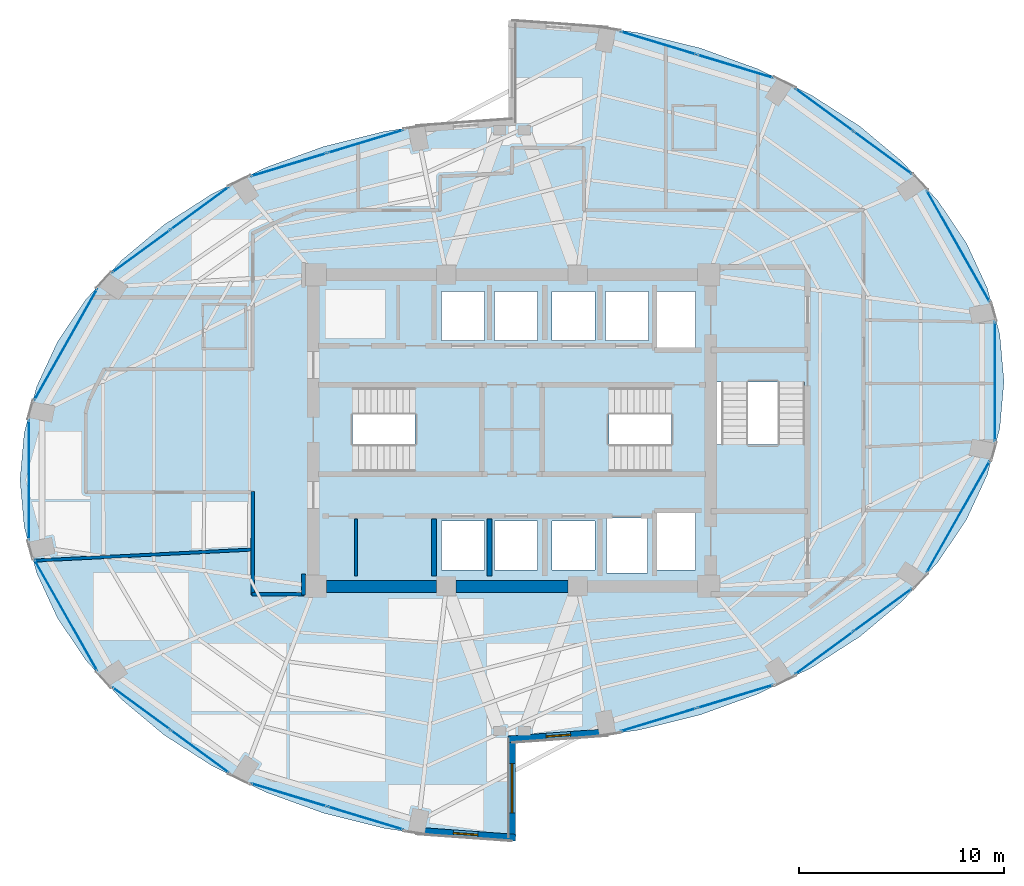
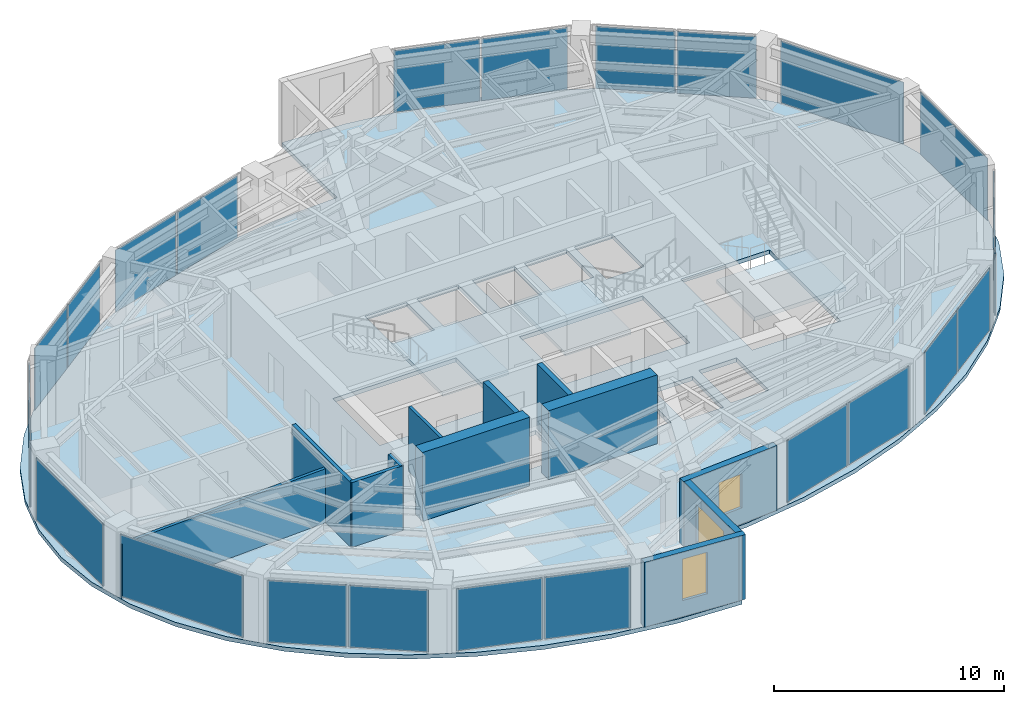
# One storey, part 15 of 20: 22 plates, 12 walls, 4 slabs, 3 windows, 3 openings, 17 elements without a shape of their own.
"""IFC4 building model written with IfcOpenShell, lengths in metres."""

from ifc_helpers import new_model, si_unit, direction, frame, frame_2d, origin, origin_2d, place, context, subcontext, project, spatial, polyline, rectangle, outline, extrude, material, layer, layer_set, type_object, element, fill, aggregate, save


model = new_model("IFC4")

# Units and contexts
model_context = context("Model", 3, precision=1e-05, world=origin(), true_north=direction((0.0, 1.0)))
body_context = subcontext(model_context, "Body", "Model", "MODEL_VIEW")
ifc_project = project(units=[si_unit("LENGTHUNIT", "METRE"), si_unit("AREAUNIT", "SQUARE_METRE"), si_unit("VOLUMEUNIT", "CUBIC_METRE"), si_unit("PLANEANGLEUNIT", "RADIAN"), si_unit("MASSUNIT", "GRAM", prefix="KILO")], contexts=[model_context])

# Site, building, storey
site_placement = place(None, origin())
site = spatial("IfcSite", under=ifc_project, at=site_placement, CompositionType="ELEMENT")
building_placement = place(site_placement, origin())
building = spatial("IfcBuilding", under=site, at=building_placement, Name="Lazwardi Medical Tower", CompositionType="ELEMENT")
storey_placement = place(building_placement, frame((0.0, 0.0, 141.93603515625)))
storey = spatial("IfcBuildingStorey", under=building, at=storey_placement, Name="L36", CompositionType="ELEMENT", Elevation=141.93603515625)

# Curtain wall, plates
ifc_material_1 = material(Name="Anodised bronze aluminium and solar control glazing", Category="aluminium")
ifc_layer_1 = layer(ifc_material_1, 0.195068359375)
ifc_layer_set_1 = layer_set([ifc_layer_1], Name="Anodised bronze aluminium and solar control glazing")
curtain_wall_type = type_object("IfcCurtainWallType", Name="CW-SYS-03", PredefinedType="NOTDEFINED", material=ifc_layer_set_1)
curtain_wall_1_placement = place(storey_placement, origin())
curtain_wall_1 = element("IfcCurtainWall", 1, at=curtain_wall_1_placement, inside=storey, type_object=curtain_wall_type, Name="L36 Unitised bronze curtain wall CW-03", PredefinedType="NOTDEFINED")
ifc_material_2 = material(Name="Low-e bronze solar control double glazing", Category="glass")
ifc_layer_2 = layer(ifc_material_2, 0.035888671875)
ifc_layer_set_2 = layer_set([ifc_layer_2], Name="Low-e bronze solar control double glazing")
plate_type = type_object("IfcPlateType", Name="PLT-GLZ-01", PredefinedType="CURTAIN_PANEL", material=ifc_layer_set_2)
plate_1_placement = place(storey_placement, frame((43.1435546875, 13.8935546875, 0.07470703125), z_axis=(0.0, 0.0, 1.0), x_axis=(0.956941516292, 0.290280785441, 0.0)))
plate_1 = element("IfcPlate", 2, at=plate_1_placement, type_object=plate_type, Name="CW-03 panel 1.1", PredefinedType="CURTAIN_PANEL", context=body_context, shape_type="SweptSolid", body=[
    extrude(rectangle(XDim=3.83642578125, YDim=0.035888671875, at=origin_2d()), origin(), (0.0, 0.0, 1.0), 3.278076171875),
])
plate_2_placement = place(storey_placement, frame((46.88671875, 15.029052734375, 0.07470703125), z_axis=(0.0, 0.0, 1.0), x_axis=(0.956941516292, 0.290280785441, 0.0)))
plate_2 = element("IfcPlate", 3, at=plate_2_placement, type_object=plate_type, Name="CW-03 panel 2.1", PredefinedType="CURTAIN_PANEL", context=body_context, shape_type="SweptSolid", body=[
    extrude(rectangle(XDim=3.83642578125, YDim=0.035888671875, at=origin_2d()), origin(), (0.0, 0.0, 1.0), 3.278076171875),
])
aggregate(curtain_wall_1, [plate_1, plate_2])

curtain_wall_2_placement = place(storey_placement, origin())
curtain_wall_2 = element("IfcCurtainWall", 4, at=curtain_wall_2_placement, inside=storey, type_object=curtain_wall_type, Name="L36 Unitised bronze curtain wall CW-03", PredefinedType="NOTDEFINED")
plate_3_placement = place(storey_placement, frame((51.2265625, 17.153076171875, 0.07470703125), z_axis=(0.0, 0.0, 1.0), x_axis=(0.806793249082, 0.590833862635, 0.0)))
plate_3 = element("IfcPlate", 5, at=plate_3_placement, type_object=plate_type, Name="CW-03 panel 1.1", PredefinedType="CURTAIN_PANEL", context=body_context, shape_type="SweptSolid", body=[
    extrude(rectangle(XDim=3.472412109375, YDim=0.035888671875, at=origin_2d()), origin(), (0.0, 0.0, 1.0), 3.278076171875),
])
plate_4_placement = place(storey_placement, frame((54.088623046875, 19.2490234375, 0.07470703125), z_axis=(0.0, 0.0, 1.0), x_axis=(0.806793249082, 0.590833862635, 0.0)))
plate_4 = element("IfcPlate", 6, at=plate_4_placement, type_object=plate_type, Name="CW-03 panel 2.1", PredefinedType="CURTAIN_PANEL", context=body_context, shape_type="SweptSolid", body=[
    extrude(rectangle(XDim=3.472412109375, YDim=0.035888671875, at=origin_2d()), origin(), (0.0, 0.0, 1.0), 3.278076171875),
])
aggregate(curtain_wall_2, [plate_3, plate_4])

# Curtain wall, plate
curtain_wall_3_placement = place(storey_placement, origin())
curtain_wall_3 = element("IfcCurtainWall", 7, at=curtain_wall_3_placement, inside=storey, type_object=curtain_wall_type, Name="L36 Unitised bronze curtain wall CW-03", PredefinedType="NOTDEFINED")
plate_5_placement = place(storey_placement, frame((57.764404296875, 23.798095703125, 0.07470703125), z_axis=(0.0, 0.0, 1.0), x_axis=(0.492311672683, 0.870418989303, 0.0)))
plate_5 = element("IfcPlate", 8, at=plate_5_placement, type_object=plate_type, Name="CW-03 panel 1.1", PredefinedType="CURTAIN_PANEL", context=body_context, shape_type="SweptSolid", body=[
    extrude(rectangle(XDim=6.208740234375, YDim=0.035888671875, at=origin_2d()), origin(), (0.0, 0.0, 1.0), 3.278076171875),
])
aggregate(curtain_wall_3, [plate_5])

curtain_wall_4_placement = place(storey_placement, origin())
curtain_wall_4 = element("IfcCurtainWall", 9, at=curtain_wall_4_placement, inside=storey, type_object=curtain_wall_type, Name="L36 Unitised bronze curtain wall CW-03", PredefinedType="NOTDEFINED")
plate_6_placement = place(storey_placement, frame((59.5576171875, 30.39990234375, 0.07470703125), z_axis=(0.0, 0.0, 1.0), x_axis=(0.0, 1.0, 0.0)))
plate_6 = element("IfcPlate", 10, at=plate_6_placement, type_object=plate_type, Name="CW-03 panel 1.1", PredefinedType="CURTAIN_PANEL", context=body_context, shape_type="SweptSolid", body=[
    extrude(rectangle(XDim=5.8408203125, YDim=0.035888671875, at=origin_2d()), origin(), (0.0, 0.0, 1.0), 3.278076171875),
])
aggregate(curtain_wall_4, [plate_6])

curtain_wall_5_placement = place(storey_placement, origin())
curtain_wall_5 = element("IfcCurtainWall", 11, at=curtain_wall_5_placement, inside=storey, type_object=curtain_wall_type, Name="L36 Unitised bronze curtain wall CW-03", PredefinedType="NOTDEFINED")
plate_7_placement = place(storey_placement, frame((57.764404296875, 37.001953125, 0.07470703125), z_axis=(0.0, 0.0, 1.0), x_axis=(-0.492311672683, 0.870418989303, 0.0)))
plate_7 = element("IfcPlate", 12, at=plate_7_placement, type_object=plate_type, Name="CW-03 panel 1.1", PredefinedType="CURTAIN_PANEL", context=body_context, shape_type="SweptSolid", body=[
    extrude(rectangle(XDim=6.208740234375, YDim=0.035888671875, at=origin_2d()), origin(), (0.0, 0.0, 1.0), 3.278076171875),
])
aggregate(curtain_wall_5, [plate_7])

# Curtain wall, plates
curtain_wall_6_placement = place(storey_placement, origin())
curtain_wall_6 = element("IfcCurtainWall", 13, at=curtain_wall_6_placement, inside=storey, type_object=curtain_wall_type, Name="L36 Unitised bronze curtain wall CW-03", PredefinedType="NOTDEFINED")
plate_8_placement = place(storey_placement, frame((54.088623046875, 41.551025390625, 0.07470703125), z_axis=(0.0, 0.0, 1.0), x_axis=(-0.806793249082, 0.590833862635, 0.0)))
plate_8 = element("IfcPlate", 14, at=plate_8_placement, type_object=plate_type, Name="CW-03 panel 1.1", PredefinedType="CURTAIN_PANEL", context=body_context, shape_type="SweptSolid", body=[
    extrude(rectangle(XDim=3.472412109375, YDim=0.035888671875, at=origin_2d()), origin(), (0.0, 0.0, 1.0), 3.278076171875),
])
plate_9_placement = place(storey_placement, frame((51.2265625, 43.64697265625, 0.07470703125), z_axis=(0.0, 0.0, 1.0), x_axis=(-0.806793249082, 0.590833862635, 0.0)))
plate_9 = element("IfcPlate", 15, at=plate_9_placement, type_object=plate_type, Name="CW-03 panel 2.1", PredefinedType="CURTAIN_PANEL", context=body_context, shape_type="SweptSolid", body=[
    extrude(rectangle(XDim=3.472412109375, YDim=0.035888671875, at=origin_2d()), origin(), (0.0, 0.0, 1.0), 3.278076171875),
])
aggregate(curtain_wall_6, [plate_8, plate_9])

curtain_wall_7_placement = place(storey_placement, origin())
curtain_wall_7 = element("IfcCurtainWall", 16, at=curtain_wall_7_placement, inside=storey, type_object=curtain_wall_type, Name="L36 Unitised bronze curtain wall CW-03", PredefinedType="NOTDEFINED")
plate_10_placement = place(storey_placement, frame((46.88671875, 45.77099609375, 0.07470703125), z_axis=(0.0, 0.0, 1.0), x_axis=(-0.956941516292, 0.290280785441, 0.0)))
plate_10 = element("IfcPlate", 17, at=plate_10_placement, type_object=plate_type, Name="CW-03 panel 1.1", PredefinedType="CURTAIN_PANEL", context=body_context, shape_type="SweptSolid", body=[
    extrude(rectangle(XDim=3.83642578125, YDim=0.035888671875, at=origin_2d()), origin(), (0.0, 0.0, 1.0), 3.278076171875),
])
plate_11_placement = place(storey_placement, frame((43.1435546875, 46.906494140625, 0.07470703125), z_axis=(0.0, 0.0, 1.0), x_axis=(-0.956941516292, 0.290280785441, 0.0)))
plate_11 = element("IfcPlate", 18, at=plate_11_placement, type_object=plate_type, Name="CW-03 panel 2.1", PredefinedType="CURTAIN_PANEL", context=body_context, shape_type="SweptSolid", body=[
    extrude(rectangle(XDim=3.83642578125, YDim=0.035888671875, at=origin_2d()), origin(), (0.0, 0.0, 1.0), 3.278076171875),
])
aggregate(curtain_wall_7, [plate_10, plate_11])

curtain_wall_8_placement = place(storey_placement, origin())
curtain_wall_8 = element("IfcCurtainWall", 19, at=curtain_wall_8_placement, inside=storey, type_object=curtain_wall_type, Name="L36 Unitised bronze curtain wall CW-03", PredefinedType="NOTDEFINED")
plate_12_placement = place(storey_placement, frame((28.8564453125, 42.1064453125, 0.07470703125), z_axis=(0.0, 0.0, 1.0), x_axis=(-0.956941516292, -0.290280785441, 0.0)))
plate_12 = element("IfcPlate", 20, at=plate_12_placement, type_object=plate_type, Name="CW-03 panel 1.1", PredefinedType="CURTAIN_PANEL", context=body_context, shape_type="SweptSolid", body=[
    extrude(rectangle(XDim=3.83642578125, YDim=0.035888671875, at=origin_2d()), origin(), (0.0, 0.0, 1.0), 3.278076171875),
])
plate_13_placement = place(storey_placement, frame((25.11328125, 40.970947265625, 0.07470703125), z_axis=(0.0, 0.0, 1.0), x_axis=(-0.956941516292, -0.290280785441, 0.0)))
plate_13 = element("IfcPlate", 21, at=plate_13_placement, type_object=plate_type, Name="CW-03 panel 2.1", PredefinedType="CURTAIN_PANEL", context=body_context, shape_type="SweptSolid", body=[
    extrude(rectangle(XDim=3.83642578125, YDim=0.035888671875, at=origin_2d()), origin(), (0.0, 0.0, 1.0), 3.278076171875),
])
aggregate(curtain_wall_8, [plate_12, plate_13])

curtain_wall_9_placement = place(storey_placement, origin())
curtain_wall_9 = element("IfcCurtainWall", 22, at=curtain_wall_9_placement, inside=storey, type_object=curtain_wall_type, Name="L36 Unitised bronze curtain wall CW-03", PredefinedType="NOTDEFINED")
plate_14_placement = place(storey_placement, frame((20.7734375, 38.846923828125, 0.07470703125), z_axis=(0.0, 0.0, 1.0), x_axis=(-0.806793249082, -0.590833862635, 0.0)))
plate_14 = element("IfcPlate", 23, at=plate_14_placement, type_object=plate_type, Name="CW-03 panel 1.1", PredefinedType="CURTAIN_PANEL", context=body_context, shape_type="SweptSolid", body=[
    extrude(rectangle(XDim=3.472412109375, YDim=0.035888671875, at=origin_2d()), origin(), (0.0, 0.0, 1.0), 3.278076171875),
])
plate_15_placement = place(storey_placement, frame((17.911376953125, 36.7509765625, 0.07470703125), z_axis=(0.0, 0.0, 1.0), x_axis=(-0.806793249082, -0.590833862635, 0.0)))
plate_15 = element("IfcPlate", 24, at=plate_15_placement, type_object=plate_type, Name="CW-03 panel 2.1", PredefinedType="CURTAIN_PANEL", context=body_context, shape_type="SweptSolid", body=[
    extrude(rectangle(XDim=3.472412109375, YDim=0.035888671875, at=origin_2d()), origin(), (0.0, 0.0, 1.0), 3.278076171875),
])
aggregate(curtain_wall_9, [plate_14, plate_15])

# Curtain wall, plate
curtain_wall_10_placement = place(storey_placement, origin())
curtain_wall_10 = element("IfcCurtainWall", 25, at=curtain_wall_10_placement, inside=storey, type_object=curtain_wall_type, Name="L36 Unitised bronze curtain wall CW-03", PredefinedType="NOTDEFINED")
plate_16_placement = place(storey_placement, frame((14.235595703125, 32.201904296875, 0.07470703125), z_axis=(0.0, 0.0, 1.0), x_axis=(-0.492311672683, -0.870418989303, 0.0)))
plate_16 = element("IfcPlate", 26, at=plate_16_placement, type_object=plate_type, Name="CW-03 panel 1.1", PredefinedType="CURTAIN_PANEL", context=body_context, shape_type="SweptSolid", body=[
    extrude(rectangle(XDim=6.208740234375, YDim=0.035888671875, at=origin_2d()), origin(), (0.0, 0.0, 1.0), 3.278076171875),
])
aggregate(curtain_wall_10, [plate_16])

curtain_wall_11_placement = place(storey_placement, origin())
curtain_wall_11 = element("IfcCurtainWall", 27, at=curtain_wall_11_placement, inside=storey, type_object=curtain_wall_type, Name="L36 Unitised bronze curtain wall CW-03", PredefinedType="NOTDEFINED")
plate_17_placement = place(storey_placement, frame((12.4423828125, 25.60009765625, 0.07470703125), z_axis=(0.0, 0.0, 1.0), x_axis=(0.0, -1.0, 0.0)))
plate_17 = element("IfcPlate", 28, at=plate_17_placement, type_object=plate_type, Name="CW-03 panel 1.1", PredefinedType="CURTAIN_PANEL", context=body_context, shape_type="SweptSolid", body=[
    extrude(rectangle(XDim=5.8408203125, YDim=0.035888671875, at=origin_2d()), origin(), (0.0, 0.0, 1.0), 3.278076171875),
])
aggregate(curtain_wall_11, [plate_17])

curtain_wall_12_placement = place(storey_placement, origin())
curtain_wall_12 = element("IfcCurtainWall", 29, at=curtain_wall_12_placement, inside=storey, type_object=curtain_wall_type, Name="L36 Unitised bronze curtain wall CW-03", PredefinedType="NOTDEFINED")
plate_18_placement = place(storey_placement, frame((14.235595703125, 18.998046875, 0.07470703125), z_axis=(0.0, 0.0, 1.0), x_axis=(0.492311672683, -0.870418989303, 0.0)))
plate_18 = element("IfcPlate", 30, at=plate_18_placement, type_object=plate_type, Name="CW-03 panel 1.1", PredefinedType="CURTAIN_PANEL", context=body_context, shape_type="SweptSolid", body=[
    extrude(rectangle(XDim=6.208740234375, YDim=0.035888671875, at=origin_2d()), origin(), (0.0, 0.0, 1.0), 3.278076171875),
])
aggregate(curtain_wall_12, [plate_18])

# Curtain wall, plates
curtain_wall_13_placement = place(storey_placement, origin())
curtain_wall_13 = element("IfcCurtainWall", 31, at=curtain_wall_13_placement, inside=storey, type_object=curtain_wall_type, Name="L36 Unitised bronze curtain wall CW-03", PredefinedType="NOTDEFINED")
plate_19_placement = place(storey_placement, frame((17.911376953125, 14.448974609375, 0.07470703125), z_axis=(0.0, 0.0, 1.0), x_axis=(0.806793249082, -0.590833862635, 0.0)))
plate_19 = element("IfcPlate", 32, at=plate_19_placement, type_object=plate_type, Name="CW-03 panel 1.1", PredefinedType="CURTAIN_PANEL", context=body_context, shape_type="SweptSolid", body=[
    extrude(rectangle(XDim=3.472412109375, YDim=0.035888671875, at=origin_2d()), origin(), (0.0, 0.0, 1.0), 3.278076171875),
])
plate_20_placement = place(storey_placement, frame((20.7734375, 12.35302734375, 0.07470703125), z_axis=(0.0, 0.0, 1.0), x_axis=(0.806793249082, -0.590833862635, 0.0)))
plate_20 = element("IfcPlate", 33, at=plate_20_placement, type_object=plate_type, Name="CW-03 panel 2.1", PredefinedType="CURTAIN_PANEL", context=body_context, shape_type="SweptSolid", body=[
    extrude(rectangle(XDim=3.472412109375, YDim=0.035888671875, at=origin_2d()), origin(), (0.0, 0.0, 1.0), 3.278076171875),
])
aggregate(curtain_wall_13, [plate_19, plate_20])

curtain_wall_14_placement = place(storey_placement, origin())
curtain_wall_14 = element("IfcCurtainWall", 34, at=curtain_wall_14_placement, inside=storey, type_object=curtain_wall_type, Name="L36 Unitised bronze curtain wall CW-03", PredefinedType="NOTDEFINED")
plate_21_placement = place(storey_placement, frame((25.11328125, 10.22900390625, 0.07470703125), z_axis=(0.0, 0.0, 1.0), x_axis=(0.956941516292, -0.290280785441, 0.0)))
plate_21 = element("IfcPlate", 35, at=plate_21_placement, type_object=plate_type, Name="CW-03 panel 1.1", PredefinedType="CURTAIN_PANEL", context=body_context, shape_type="SweptSolid", body=[
    extrude(rectangle(XDim=3.83642578125, YDim=0.035888671875, at=origin_2d()), origin(), (0.0, 0.0, 1.0), 3.278076171875),
])
plate_22_placement = place(storey_placement, frame((28.8564453125, 9.093505859375, 0.07470703125), z_axis=(0.0, 0.0, 1.0), x_axis=(0.956941516292, -0.290280785441, 0.0)))
plate_22 = element("IfcPlate", 36, at=plate_22_placement, type_object=plate_type, Name="CW-03 panel 2.1", PredefinedType="CURTAIN_PANEL", context=body_context, shape_type="SweptSolid", body=[
    extrude(rectangle(XDim=3.83642578125, YDim=0.035888671875, at=origin_2d()), origin(), (0.0, 0.0, 1.0), 3.278076171875),
])
aggregate(curtain_wall_14, [plate_21, plate_22])

# Stair, slab
ifc_material_3 = material(Name="Concrete C45/55", Category="concrete")
stair_type = type_object("IfcStairType", Name="STR-WRD", PredefinedType="HALF_TURN_STAIR", material=ifc_material_3)
stair_1_placement = place(storey_placement, origin())
stair_1 = element("IfcStair", 37, at=stair_1_placement, inside=storey, type_object=stair_type, Name="L36 Protected Exit Stair ST1", PredefinedType="HALF_TURN_STAIR")
ifc_layer_3 = layer(ifc_material_3, 0.199951171875)
ifc_layer_set_3 = layer_set([ifc_layer_3], Name="Concrete C45/55")
slab_type_1 = type_object("IfcSlabType", Name="SLB-LND-190", PredefinedType="LANDING", material=ifc_layer_set_3)
slab_1_placement = place(storey_placement, frame((0.0, 0.0, 1.6240234375)))
slab_1 = element("IfcSlab", 38, at=slab_1_placement, type_object=slab_type_1, Name="ST1 landing 1", PredefinedType="LANDING", context=body_context, shape_type="SweptSolid", body=[
    extrude(outline(polyline([(31.27490234375, 25.840087890625), (34.580078125, 25.840087890625), (34.580078125, 30.280029296875), (31.27490234375, 30.280029296875), (31.27490234375, 25.840087890625)])), origin(), (0.0, 0.0, 1.0), 0.199951171875),
])
aggregate(stair_1, [slab_1])

stair_2_placement = place(storey_placement, origin())
stair_2 = element("IfcStair", 39, at=stair_2_placement, inside=storey, type_object=stair_type, Name="L36 Protected Exit Stair ST2", PredefinedType="HALF_TURN_STAIR")
slab_2_placement = place(storey_placement, frame((0.0, 0.0, 1.6240234375)))
slab_2 = element("IfcSlab", 40, at=slab_2_placement, type_object=slab_type_1, Name="ST2 landing 1", PredefinedType="LANDING", context=body_context, shape_type="SweptSolid", body=[
    extrude(outline(polyline([(40.72509765625, 30.280029296875), (37.419921875, 30.280029296875), (37.419921875, 25.840087890625), (40.72509765625, 25.840087890625), (40.72509765625, 30.280029296875)])), origin(), (0.0, 0.0, 1.0), 0.199951171875),
])
aggregate(stair_2, [slab_2])

stair_3_placement = place(storey_placement, origin())
stair_3 = element("IfcStair", 41, at=stair_3_placement, inside=storey, type_object=stair_type, Name="L36 Protected Exit Stair ST3", PredefinedType="HALF_TURN_STAIR")
slab_3_placement = place(storey_placement, frame((0.0, 0.0, 1.6240234375)))
slab_3 = element("IfcSlab", 42, at=slab_3_placement, type_object=slab_type_1, Name="ST3 landing 1", PredefinedType="LANDING", context=body_context, shape_type="SweptSolid", body=[
    extrude(outline(polyline([(45.860107421875, 27.324951171875), (45.860107421875, 24.02001953125), (50.4599609375, 24.02001953125), (50.4599609375, 27.324951171875), (45.860107421875, 27.324951171875)])), origin(), (0.0, 0.0, 1.0), 0.199951171875),
])
aggregate(stair_3, [slab_3])

# Slab
ifc_material_4 = material(Name="Concrete C50/60", Category="concrete")
ifc_layer_4 = layer(ifc_material_4, 0.219970703125)
ifc_layer_set_4 = layer_set([ifc_layer_4], Name="Concrete C50/60")
slab_type_2 = type_object("IfcSlabType", Name="SLB-WRD-220", PredefinedType="FLOOR", material=ifc_layer_set_4)
slab_4_placement = place(storey_placement, frame((0.0, 0.0, -0.219970703125)))
element("IfcSlab", 43, at=slab_4_placement, inside=storey, type_object=slab_type_2, Name="Structural floor slab SF-03 L36", PredefinedType="FLOOR", context=body_context, shape_type="SweptSolid", body=[
    extrude(outline(polyline([(12.205322265625, 23.302734375), (12.81787109375, 21.044921875), (13.826904296875, 18.86474609375), (15.21533203125, 16.800048828125), (16.95947265625, 14.8857421875), (19.029296875, 13.15478515625), (21.3896484375, 11.636962890625), (24.0, 10.35791015625), (26.815673828125, 9.339599609375), (29.788330078125, 8.599609375), (32.867431640625, 8.150634765625), (36.0, 8.0), (36.0, 12.800048828125), (39.132568359375, 12.95068359375), (42.211669921875, 13.399658203125), (45.184326171875, 14.1396484375), (48.0, 15.157958984375), (50.6103515625, 16.43701171875), (52.970703125, 17.954833984375), (55.04052734375, 19.685791015625), (56.78466796875, 21.60009765625), (58.173095703125, 23.664794921875), (59.18212890625, 25.8447265625), (59.794677734375, 28.102783203125), (60.0, 30.39990234375), (59.794677734375, 32.697265625), (59.18212890625, 34.955078125), (58.173095703125, 37.13525390625), (56.78466796875, 39.199951171875), (55.04052734375, 41.1142578125), (52.970703125, 42.84521484375), (50.6103515625, 44.363037109375), (48.0, 45.64208984375), (45.184326171875, 46.660400390625), (42.211669921875, 47.400390625), (39.132568359375, 47.849365234375), (36.0, 48.0), (36.0, 43.199951171875), (32.867431640625, 43.04931640625), (29.788330078125, 42.600341796875), (26.815673828125, 41.8603515625), (24.0, 40.842041015625), (21.3896484375, 39.56298828125), (19.029296875, 38.045166015625), (16.95947265625, 36.314208984375), (15.21533203125, 34.39990234375), (13.826904296875, 32.335205078125), (12.81787109375, 30.1552734375), (12.205322265625, 27.897216796875), (12.0, 25.60009765625), (12.205322265625, 23.302734375)]), holes=[polyline([(28.22509765625, 26.02001953125), (28.22509765625, 30.10009765625), (34.39990234375, 30.10009765625), (34.39990234375, 26.02001953125), (28.22509765625, 26.02001953125)]), polyline([(37.60009765625, 30.10009765625), (43.77490234375, 30.10009765625), (43.77490234375, 26.02001953125), (37.60009765625, 26.02001953125), (37.60009765625, 30.10009765625)]), polyline([(50.280029296875, 30.375), (50.280029296875, 24.179931640625), (45.840087890625, 24.179931640625), (45.840087890625, 30.375), (50.280029296875, 30.375)]), polyline([(34.64990234375, 32.39990234375), (32.550048828125, 32.39990234375), (32.550048828125, 34.800048828125), (34.64990234375, 34.800048828125), (34.64990234375, 32.39990234375)]), polyline([(35.14990234375, 32.39990234375), (35.14990234375, 34.800048828125), (37.25, 34.800048828125), (37.25, 32.39990234375), (35.14990234375, 32.39990234375)]), polyline([(32.550048828125, 23.60009765625), (34.64990234375, 23.60009765625), (34.64990234375, 21.199951171875), (32.550048828125, 21.199951171875), (32.550048828125, 23.60009765625)]), polyline([(37.25, 23.60009765625), (37.25, 21.199951171875), (35.14990234375, 21.199951171875), (35.14990234375, 23.60009765625), (37.25, 23.60009765625)]), polyline([(40.050048828125, 32.39990234375), (37.949951171875, 32.39990234375), (37.949951171875, 34.800048828125), (40.050048828125, 34.800048828125), (40.050048828125, 32.39990234375)]), polyline([(40.550048828125, 32.39990234375), (40.550048828125, 34.800048828125), (42.64990234375, 34.800048828125), (42.64990234375, 32.39990234375), (40.550048828125, 32.39990234375)]), polyline([(37.949951171875, 23.60009765625), (40.050048828125, 23.60009765625), (40.050048828125, 21.199951171875), (37.949951171875, 21.199951171875), (37.949951171875, 23.60009765625)]), polyline([(44.949951171875, 34.800048828125), (44.949951171875, 32.0), (43.050048828125, 32.0), (43.050048828125, 34.800048828125), (44.949951171875, 34.800048828125)]), polyline([(44.949951171875, 21.199951171875), (43.050048828125, 21.199951171875), (43.050048828125, 24.0), (44.949951171875, 24.0), (44.949951171875, 21.199951171875)]), polyline([(40.60009765625, 21.050048828125), (40.60009765625, 23.75), (42.60009765625, 23.75), (42.60009765625, 21.050048828125), (40.60009765625, 21.050048828125)])]), origin(), (0.0, 0.0, 1.0), 0.219970703125),
])

# Walls
ifc_material_5 = material(Name="Fire-rated gypsum board on steel stud", Category="steel")
ifc_layer_5 = layer(ifc_material_5, 0.179931640625)
ifc_layer_set_5 = layer_set([ifc_layer_5], Name="Fire-rated gypsum board on steel stud")
wall_type_1 = type_object("IfcWallType", Name="WL-COR-180", PredefinedType="PARTITIONING", material=ifc_layer_set_5)
wall_1_placement = place(storey_placement, frame((25.830078125, 21.010009765625, 0.0), z_axis=(0.0, 0.0, 1.0), x_axis=(0.0, -1.0, 0.0)))
element("IfcWall", 44, at=wall_1_placement, inside=storey, type_object=wall_type_1, Name="L36 Corridor partition 16", PredefinedType="PARTITIONING", context=body_context, shape_type="SweptSolid", body=[
    extrude(rectangle(XDim=1.030029296875, YDim=0.179931640625, at=frame_2d((0.51513671875, 0.0))), origin(), (0.0, 0.0, 1.0), 3.427978515625),
])
wall_2_placement = place(storey_placement, frame((25.8701171875, 20.02001953125, 0.0), z_axis=(0.0, 0.0, 1.0), x_axis=(-1.0, 0.0, 0.0)))
element("IfcWall", 45, at=wall_2_placement, inside=storey, type_object=wall_type_1, Name="L36 Corridor partition 17", PredefinedType="PARTITIONING", context=body_context, shape_type="SweptSolid", body=[
    extrude(rectangle(XDim=2.56005859375, YDim=0.179931640625, at=frame_2d((1.280029296875, 0.0))), origin(), (0.0, 0.0, 1.0), 3.427978515625),
])
wall_3_placement = place(storey_placement, frame((23.35009765625, 19.97998046875, 0.0), z_axis=(0.0, 0.0, 1.0), x_axis=(0.0, 1.0, 0.0)))
element("IfcWall", 46, at=wall_3_placement, inside=storey, type_object=wall_type_1, Name="L36 Corridor partition 18", PredefinedType="PARTITIONING", context=body_context, shape_type="SweptSolid", body=[
    extrude(rectangle(XDim=5.06005859375, YDim=0.179931640625, at=frame_2d((2.530029296875, 0.0))), origin(), (0.0, 0.0, 1.0), 3.427978515625),
])
ifc_material_6 = material(Name="Concrete C60/75", Category="concrete")
ifc_layer_6 = layer(ifc_material_6, 0.60009765625)
ifc_layer_set_6 = layer_set([ifc_layer_6], Name="Concrete C60/75")
wall_type_2 = type_object("IfcWallType", Name="WL-CORE-600", PredefinedType="SHEAR", material=ifc_layer_set_6)
wall_4_placement = place(storey_placement, frame((26.949951171875, 20.39990234375, 0.0), z_axis=(0.0, 0.0, 1.0), x_axis=(1.0, 0.0, 0.0)))
element("IfcWall", 47, at=wall_4_placement, inside=storey, type_object=wall_type_2, Name="Core wall CW-S3 S1 L36", PredefinedType="SHEAR", context=body_context, shape_type="SweptSolid", body=[
    extrude(rectangle(XDim=5.375, YDim=0.60009765625, at=frame_2d((2.6875, 0.0))), origin(), (0.0, 0.0, 1.0), 3.64794921875),
])
wall_5_placement = place(storey_placement, frame((33.27490234375, 20.39990234375, 0.0), z_axis=(0.0, 0.0, 1.0), x_axis=(1.0, 0.0, 0.0)))
element("IfcWall", 48, at=wall_5_placement, inside=storey, type_object=wall_type_2, Name="Core wall CW-S3 S2 L36", PredefinedType="SHEAR", context=body_context, shape_type="SweptSolid", body=[
    extrude(rectangle(XDim=5.4501953125, YDim=0.60009765625, at=frame_2d((2.72509765625, 0.0))), origin(), (0.0, 0.0, 1.0), 3.64794921875),
])

# Wall, opening, window
ifc_material_7 = material(Name="Precast concrete C45/55", Category="concrete")
ifc_layer_7 = layer(ifc_material_7, 0.320068359375)
ifc_layer_set_7 = layer_set([ifc_layer_7], Name="Precast concrete C45/55")
wall_type_3 = type_object("IfcWallType", Name="WL-IWAN-320", PredefinedType="SOLIDWALL", material=ifc_layer_set_7)
wall_6_placement = place(storey_placement, frame((35.820556640625, 12.947021484375, 0.0), z_axis=(0.0, 0.0, 1.0), x_axis=(0.997415460462, 0.071849838072, 0.0)))
wall_6 = element("IfcWall", 49, at=wall_6_placement, inside=storey, type_object=wall_type_3, Name="L36 Iwan Portal Return Wall SE_ret", PredefinedType="SOLIDWALL", context=body_context, shape_type="SweptSolid", body=[
    extrude(rectangle(XDim=4.89306640625, YDim=0.320068359375, at=frame_2d((2.446533203125, 0.0))), origin(), (0.0, 0.0, 1.0), 3.427978515625),
])
opening_1_placement = place(wall_6_placement, frame((1.846435546875, 0.0, 0.85009765625)))
opening_1 = element("IfcOpeningElement", 50, at=opening_1_placement, cuts=wall_6, Name="Opening WN-04", PredefinedType="OPENING", context=body_context, shape_type="SweptSolid", body=[
    extrude(rectangle(XDim=1.199951171875, YDim=1.800048828125, at=frame_2d((0.60009765625, 0.89990234375))), frame((0.0, 0.169921875, 0.0), z_axis=(0.0, -1.0, 0.0), x_axis=(1.0, 0.0, 0.0)), (0.0, 0.0, 1.0), 0.340087890625),
])
window_type_1 = type_object("IfcWindowType", Name="WIN-DRUM-1200", PartitioningType="SINGLE_PANEL", PredefinedType="WINDOW", material=ifc_material_2)
window_1_placement = place(opening_1_placement, origin())
window_1 = element("IfcWindow", 51, at=window_1_placement, inside=storey, type_object=window_type_1, Name="L36 Iwan Slot Window SE_ret", OverallHeight=1.800048828125, OverallWidth=1.199951171875, PartitioningType="SINGLE_PANEL", PredefinedType="WINDOW", context=body_context, shape_type="SweptSolid", body=[
    extrude(rectangle(XDim=1.199951171875, YDim=1.800048828125, at=frame_2d((0.60009765625, 0.89990234375))), frame((0.0, 0.030029296875, 0.0), z_axis=(0.0, -1.0, 0.0), x_axis=(1.0, 0.0, 0.0)), (0.0, 0.0, 1.0), 0.06005859375),
])
fill(opening_1, window_1)

wall_7_placement = place(storey_placement, frame((31.299072265625, 8.498779296875, 0.0), z_axis=(0.0, 0.0, 1.0), x_axis=(0.997415202861, -0.071853413984, 0.0)))
wall_7 = element("IfcWall", 52, at=wall_7_placement, inside=storey, type_object=wall_type_3, Name="L36 Iwan Portal Return Wall SW_ret", PredefinedType="SOLIDWALL", context=body_context, shape_type="SweptSolid", body=[
    extrude(rectangle(XDim=4.892822265625, YDim=0.320068359375, at=frame_2d((2.4462890625, 0.0))), origin(), (0.0, 0.0, 1.0), 3.427978515625),
])
opening_2_placement = place(wall_7_placement, frame((1.84619140625, 0.0, 0.85009765625)))
opening_2 = element("IfcOpeningElement", 53, at=opening_2_placement, cuts=wall_7, Name="Opening WN-01", PredefinedType="OPENING", context=body_context, shape_type="SweptSolid", body=[
    extrude(rectangle(XDim=1.199951171875, YDim=2.199951171875, at=frame_2d((0.60009765625, 1.10009765625))), frame((0.0, 0.169921875, 0.0), z_axis=(0.0, -1.0, 0.0), x_axis=(1.0, 0.0, 0.0)), (0.0, 0.0, 1.0), 0.340087890625),
])
window_type_2 = type_object("IfcWindowType", Name="WIN-IW-1200", PartitioningType="SINGLE_PANEL", PredefinedType="WINDOW", material=ifc_material_2)
window_2_placement = place(opening_2_placement, origin())
window_2 = element("IfcWindow", 54, at=window_2_placement, inside=storey, type_object=window_type_2, Name="L36 Iwan Slot Window SW_ret", OverallHeight=2.199951171875, OverallWidth=1.199951171875, PartitioningType="SINGLE_PANEL", PredefinedType="WINDOW", context=body_context, shape_type="SweptSolid", body=[
    extrude(rectangle(XDim=1.199951171875, YDim=2.199951171875, at=frame_2d((0.60009765625, 1.10009765625))), frame((0.0, 0.030029296875, 0.0), z_axis=(0.0, -1.0, 0.0), x_axis=(1.0, 0.0, 0.0)), (0.0, 0.0, 1.0), 0.06005859375),
])
fill(opening_2, window_2)

wall_8_placement = place(storey_placement, frame((36.0, 8.0, 0.0), z_axis=(0.0, 0.0, 1.0), x_axis=(0.0, 1.0, 0.0)))
wall_8 = element("IfcWall", 55, at=wall_8_placement, inside=storey, type_object=wall_type_3, Name="L36 Turquoise Tilework Iwan Seam Wall S_seam", PredefinedType="SOLIDWALL", context=body_context, shape_type="SweptSolid", body=[
    extrude(rectangle(XDim=5.1201171875, YDim=0.320068359375, at=frame_2d((2.56005859375, 0.0))), origin(), (0.0, 0.0, 1.0), 3.427978515625),
])
opening_3_placement = place(wall_8_placement, frame((1.360107421875, 0.0, 0.840087890625)))
opening_3 = element("IfcOpeningElement", 56, at=opening_3_placement, cuts=wall_8, Name="Opening WN-02", PredefinedType="OPENING", context=body_context, shape_type="SweptSolid", body=[
    extrude(rectangle(XDim=2.39990234375, YDim=2.0400390625, at=frame_2d((1.199951171875, 1.02001953125))), frame((0.0, 0.169921875, 0.0), z_axis=(0.0, -1.0, 0.0), x_axis=(1.0, 0.0, 0.0)), (0.0, 0.0, 1.0), 0.340087890625),
])
window_type_3 = type_object("IfcWindowType", Name="WIN-IW-2400", PartitioningType="SINGLE_PANEL", PredefinedType="WINDOW", material=ifc_material_2)
window_3_placement = place(opening_3_placement, origin())
window_3 = element("IfcWindow", 57, at=window_3_placement, inside=storey, type_object=window_type_3, Name="L36 Iwan Seam Window S_seam", OverallHeight=2.0400390625, OverallWidth=2.39990234375, PartitioningType="SINGLE_PANEL", PredefinedType="WINDOW", context=body_context, shape_type="SweptSolid", body=[
    extrude(rectangle(XDim=2.39990234375, YDim=2.0400390625, at=frame_2d((1.199951171875, 1.02001953125))), frame((0.0, 0.030029296875, 0.0), z_axis=(0.0, -1.0, 0.0), x_axis=(1.0, 0.0, 0.0)), (0.0, 0.0, 1.0), 0.06005859375),
])
fill(opening_3, window_3)

# Walls
ifc_material_8 = material(Name="Autoclaved aerated concrete blockwork", Category="masonry")
ifc_layer_8 = layer(ifc_material_8, 0.25)
ifc_layer_set_8 = layer_set([ifc_layer_8], Name="Autoclaved aerated concrete blockwork")
wall_type_4 = type_object("IfcWallType", Name="WL-SHAFT-250", PredefinedType="SOLIDWALL", material=ifc_layer_set_8)
for number, where, z_axis, x_axis, name in (
    (58, (32.199951171875, 20.89990234375, 0.0), (0.0, 0.0, 1.0), (0.0, 1.0, 0.0), "L36 South hoistway divider"),
    (59, (34.89990234375, 20.89990234375, 0.0), (0.0, 0.0, 1.0), (0.0, 1.0, 0.0), "L36 South hoistway divider"),
):
    element("IfcWall", number, at=place(storey_placement, frame(where, z_axis=z_axis, x_axis=x_axis)), inside=storey, type_object=wall_type_4, Name=name, PredefinedType="SOLIDWALL", context=body_context, shape_type="SweptSolid", body=[
        extrude(rectangle(XDim=2.800048828125, YDim=0.25, at=frame_2d((1.39990234375, 0.0))), origin(), (0.0, 0.0, 1.0), 3.427978515625),
    ])
ifc_material_9 = material(Name="Acoustic gypsum board partition")
ifc_layer_9 = layer(ifc_material_9, 0.14990234375)
ifc_layer_set_9 = layer_set([ifc_layer_9], Name="Acoustic gypsum board partition")
wall_type_5 = type_object("IfcWallType", Name="WL-WRD-150", PredefinedType="PARTITIONING", material=ifc_layer_set_9)
wall_9_placement = place(storey_placement, frame((28.39990234375, 20.89990234375, 0.0), z_axis=(0.0, 0.0, 1.0), x_axis=(0.0, 1.0, 0.0)))
element("IfcWall", 60, at=wall_9_placement, inside=storey, type_object=wall_type_5, Name="L36 Freed bay S split 2", PredefinedType="PARTITIONING", context=body_context, shape_type="SweptSolid", body=[
    extrude(rectangle(XDim=2.800048828125, YDim=0.14990234375, at=frame_2d((1.39990234375, 0.0))), origin(), (0.0, 0.0, 1.0), 3.427978515625),
])
wall_10_placement = place(storey_placement, frame((12.722900390625, 21.6611328125, 0.0), z_axis=(0.0, 0.0, 1.0), x_axis=(0.998712791022, 0.050722391981, 0.0)))
element("IfcWall", 61, at=wall_10_placement, inside=storey, type_object=wall_type_5, Name="L36 Room partition 1", PredefinedType="PARTITIONING", context=body_context, shape_type="SweptSolid", body=[
    extrude(rectangle(XDim=10.55078125, YDim=0.14990234375, at=frame_2d((5.275390625, 0.0))), origin(), (0.0, 0.0, 1.0), 2.863037109375),
])

save(model, "model.ifc")
